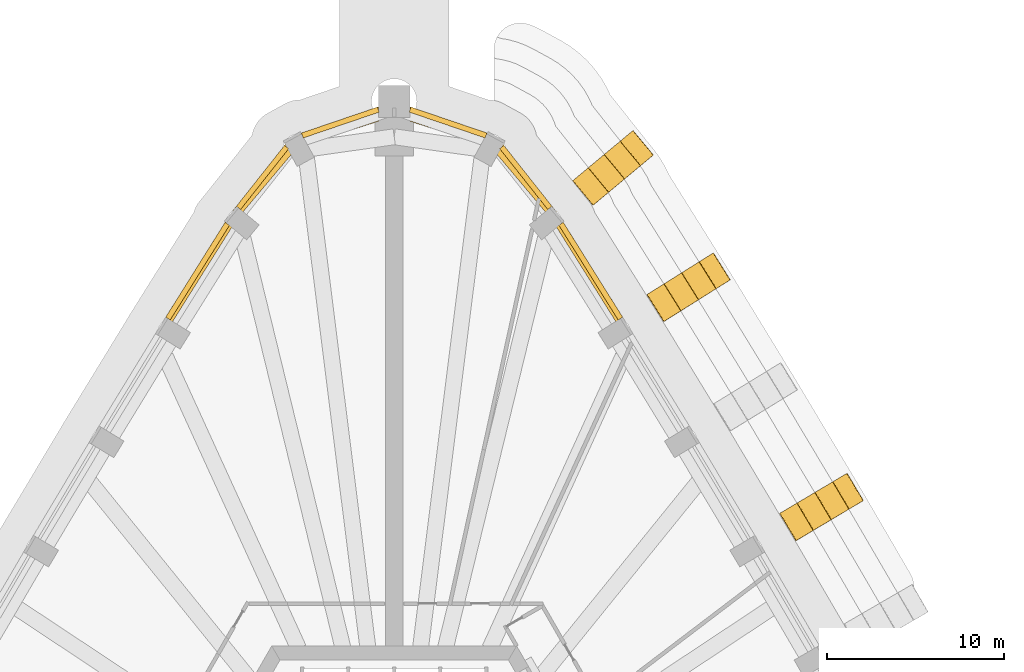
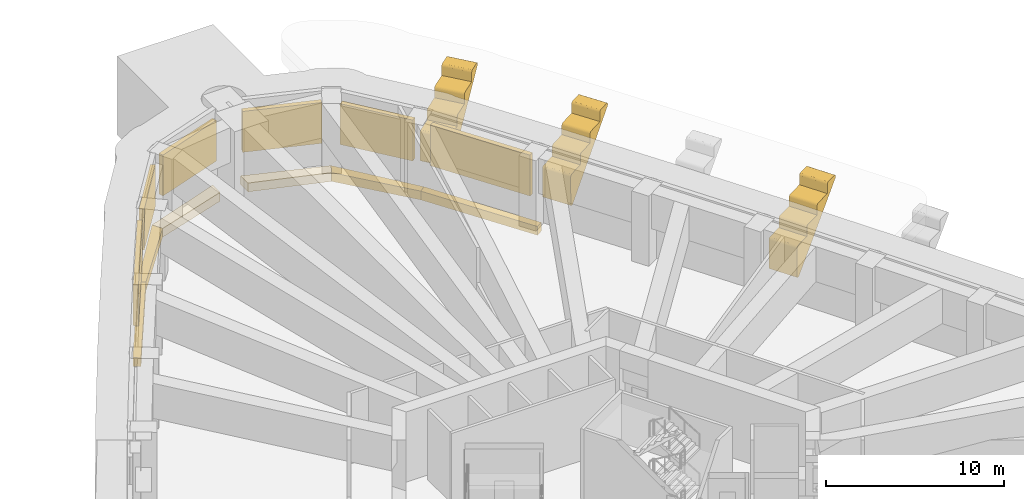
# One storey, part 22 of 22: 9 coverings, 6 shading devices.
"""IFC4 building model written with IfcOpenShell, lengths in metres."""

from ifc_helpers import new_model, si_unit, direction, frame, origin, origin_2d, place, context, subcontext, project, spatial, polyline, rectangle, outline, extrude, material, layer, layer_set, type_object, element, save


model = new_model("IFC4")

# Units and contexts
model_context = context("Model", 3, precision=1e-05, world=origin(), true_north=direction((0.0, 1.0)))
body_context = subcontext(model_context, "Body", "Model", "MODEL_VIEW")
ifc_project = project(units=[si_unit("LENGTHUNIT", "METRE"), si_unit("AREAUNIT", "SQUARE_METRE"), si_unit("VOLUMEUNIT", "CUBIC_METRE"), si_unit("PLANEANGLEUNIT", "RADIAN"), si_unit("MASSUNIT", "GRAM", prefix="KILO")], contexts=[model_context])

# Site, building, storey
site_placement = place(None, origin())
site = spatial("IfcSite", under=ifc_project, at=site_placement, CompositionType="ELEMENT")
building_placement = place(site_placement, origin())
building = spatial("IfcBuilding", under=site, at=building_placement, Name="Entoto Arch Interchange Tower", CompositionType="ELEMENT")
storey_placement = place(building_placement, frame((0.0, 0.0, 132.800048828125)))
storey = spatial("IfcBuildingStorey", under=building, at=storey_placement, Name="L29", CompositionType="ELEMENT", Elevation=132.800048828125)

# Shading devices
ifc_material_1 = material(Name="Aluminium, anodised", Category="aluminium")
ifc_layer = layer(ifc_material_1, 0.300048828125)
ifc_layer_set = layer_set([ifc_layer], Name="Aluminium, anodised")
shading_device_type = type_object("IfcShadingDeviceType", Name="PLANT LOUVRE ALUMINIUM", PredefinedType="JALOUSIE", material=ifc_layer_set)
shading_device_1_placement = place(storey_placement, frame((11.1220703125, 35.70703125, 1.19970703125), z_axis=(0.0, 0.0, 1.0), x_axis=(-0.530629537303, 0.847603854487, 0.0)))
element("IfcShadingDevice", 1, at=shading_device_1_placement, inside=storey, type_object=shading_device_type, Name="Plant louvre NE-08 L29", PredefinedType="JALOUSIE", context=body_context, shape_type="SweptSolid", body=[
    extrude(rectangle(XDim=6.327880859375, YDim=0.300048828125, at=origin_2d()), origin(), (0.0, 0.0, 1.0), 2.800048828125),
])
shading_device_2_placement = place(storey_placement, frame((7.449951171875, 41.010009765625, 1.19970703125), z_axis=(0.0, 0.0, 1.0), x_axis=(-0.62038151397, 0.784300183045, 0.0)))
element("IfcShadingDevice", 2, at=shading_device_2_placement, inside=storey, type_object=shading_device_type, Name="Plant louvre N-01 L29", PredefinedType="JALOUSIE", context=body_context, shape_type="SweptSolid", body=[
    extrude(rectangle(XDim=4.385986328125, YDim=0.300048828125, at=origin_2d()), origin(), (0.0, 0.0, 1.0), 2.800048828125),
])
for number, where, z_axis, x_axis, name in (
    (3, (3.047119140625, 44.117919921875, 1.19970703125), (0.0, 0.0, 1.0), (-0.946638010344, 0.322298739327, 0.0), "Plant louvre N-02 L29"),
    (4, (-3.047119140625, 44.117919921875, 1.19970703125), (0.0, 0.0, 1.0), (-0.946638010344, -0.322298739327, 0.0), "Plant louvre N-03 L29"),
):
    element("IfcShadingDevice", number, at=place(storey_placement, frame(where, z_axis=z_axis, x_axis=x_axis)), inside=storey, type_object=shading_device_type, Name=name, PredefinedType="JALOUSIE", context=body_context, shape_type="SweptSolid", body=[
        extrude(rectangle(XDim=4.5390625, YDim=0.300048828125, at=origin_2d()), origin(), (0.0, 0.0, 1.0), 2.800048828125),
    ])
shading_device_3_placement = place(storey_placement, frame((-7.449951171875, 41.010009765625, 1.19970703125), z_axis=(0.0, 0.0, 1.0), x_axis=(-0.62038151397, -0.784300183045, 0.0)))
element("IfcShadingDevice", 5, at=shading_device_3_placement, inside=storey, type_object=shading_device_type, Name="Plant louvre N-04 L29", PredefinedType="JALOUSIE", context=body_context, shape_type="SweptSolid", body=[
    extrude(rectangle(XDim=4.385986328125, YDim=0.300048828125, at=origin_2d()), origin(), (0.0, 0.0, 1.0), 2.800048828125),
])
shading_device_4_placement = place(storey_placement, frame((-11.1220703125, 35.70703125, 1.19970703125), z_axis=(0.0, 0.0, 1.0), x_axis=(-0.530629537303, -0.847603854487, 0.0)))
element("IfcShadingDevice", 6, at=shading_device_4_placement, inside=storey, type_object=shading_device_type, Name="Plant louvre NW-01 L29", PredefinedType="JALOUSIE", context=body_context, shape_type="SweptSolid", body=[
    extrude(rectangle(XDim=6.327880859375, YDim=0.300048828125, at=origin_2d()), origin(), (0.0, 0.0, 1.0), 2.800048828125),
])

# Coverings
ifc_material_2 = material(Name="Board-marked precast concrete C50/60", Category="concrete")
covering_type_1 = type_object("IfcCoveringType", Name="PRECAST FRAME COURSE", PredefinedType="CLADDING", material=ifc_material_2)
covering_1_placement = place(storey_placement, frame((22.947021484375, 20.573974609375, -0.3349609375), z_axis=(0.510043896518, -0.860143193073, 0.00298513572), x_axis=(-0.688712591774, -0.41046391475, -0.597657377283)))
element("IfcCovering", 7, at=covering_1_placement, inside=storey, type_object=covering_type_1, Name="Fold rib NE06 L29", PredefinedType="CLADDING", context=body_context, shape_type="SweptSolid", body=[
    extrude(outline(polyline([(0.0, 0.0), (0.04370979439670798, 3.469446951953614e-18), (0.07246586351592238, -0.007734049152401567), (0.11054443854812623, -0.02881142292278651), (0.14212364435810346, -0.05966167258047414), (0.1629005935985335, -0.09889906621859265), (0.17073555366444348, -0.14219538545820434), (0.16672824165551947, -0.1851867830285332), (0.149273150295389, -0.22576998099336446), (-0.9814458878577919, -1.7440629971669985), (-1.000555454334797, -1.7660537953354596), (-1.0248203819554038, -1.782985687604173), (-1.0515001429890076, -1.7953740067246438), (-1.079852993764303, -1.8028611109159693), (-1.1092596318036458, -1.8046938950489697), (-1.138266788185124, -1.800732647489089), (-1.1661994100683575, -1.7896550958810022), (-1.1911269945405574, -1.7750283819168364), (-1.988501726715067, -1.1806330295280096), (-2.3568568645795, -1.673107669676871), (-2.3906803588805197, -1.7002719696809712), (-2.4172921881082097, -1.7127121737180484), (-2.445712970689419, -1.720147392992768), (-2.475724247813252, -1.7215288430820688), (-2.518862694904531, -1.7131223791558192), (-2.5569190396597596, -1.6923665489102415), (-3.379070479960893, -1.079497761141258), (-3.7474256178253254, -1.571972401290119), (-3.7812491121263454, -1.5991367012942197), (-3.8077607304373484, -1.611650825154767), (-3.8365144248793914, -1.6188422500522124), (-3.8655202192519864, -1.6209707134790927), (-3.9097320809004175, -1.6117653512986574), (-3.9477884256556464, -1.5910095210530795), (-4.769367505983062, -0.9785700324209317), (-5.1377226438474946, -1.4710446725697928), (-5.159505697883582, -1.490738716484846), (-5.184700260225096, -1.5057554109539486), (-5.212359550807999, -1.5149800232882018), (-5.2412910874658465, -1.5195990999871904), (-5.285396761629351, -1.5156524380620502), (-5.3125243225947205, -1.5051740601446033), (-5.337684608011067, -1.4903774716266334), (-5.867916359422165, -1.0951172661198094), (-5.889383132168932, -1.0751575493753718), (-5.908145500254728, -1.0514269108044445), (-5.920226812943634, -1.0247599642158027), (-5.927142836689036, -0.9958499582643885), (-5.928464991353463, -0.9662424916324639), (-5.924043171191834, -0.9372599931301036), (-5.913842964483997, -0.9098450584248665), (-5.898225368902105, -0.8852500258274221), (-5.878532152642597, -0.8624762725200381), (-5.854244994745015, -0.8458659237761323), (-5.828260034878791, -0.8326528421705484), (-5.799650120272993, -0.8265777168185275), (-4.844965555876821, -0.6901765026372071), (-4.81089964737736, -0.6893820426553443), (-4.777751313189524, -0.6802909803720447), (0.0, 0.0)])), origin(), (0.0, 0.0, -1.0), 1.800048828125),
])
covering_2_placement = place(storey_placement, frame((15.465087890625, 32.98095703125, -0.31298828125), z_axis=(0.53008941508, -0.847936665162, 0.002936646627), x_axis=(-0.678897422566, -0.426484074288, -0.597670163227)))
element("IfcCovering", 8, at=covering_2_placement, inside=storey, type_object=covering_type_1, Name="Fold rib NE08 L29", PredefinedType="CLADDING", context=body_context, shape_type="SweptSolid", body=[
    extrude(outline(polyline([(0.0, 0.0), (0.04370481248492029, 0.0), (0.08526047528751043, -0.013621301529396508), (0.1216594770925829, -0.038316814606129575), (0.14075210209884406, -0.059858272799969164), (0.16152968921222358, -0.09910042407311848), (0.170349377187999, -0.1419131308031451), (0.1656167534421375, -0.18588880989732484), (0.14883845806128682, -0.22575879926643505), (-0.9690936515572176, -1.7258693585628633), (-0.9886165522893466, -1.7475548463307022), (-1.0117036962814183, -1.7653618370367874), (-1.038894097375619, -1.7773718282849613), (-1.0676526849869297, -1.7845575951058514), (-1.0970643039644616, -1.786384257352082), (-1.125963057244586, -1.7825003481828072), (-1.15333107610216, -1.7718432725114956), (-1.179067797653677, -1.7566164539896223), (-1.9761898475828445, -1.1623866436406172), (-2.3445841380520984, -1.6548319983336177), (-2.378417286139777, -1.6819879192291882), (-2.404921330350675, -1.6945062512012732), (-2.433016932197761, -1.7021881497390494), (-2.463195659027967, -1.703441818709456), (-2.506323830772125, -1.6950472800736034), (-2.5449526553067545, -1.6738627008281308), (-3.3664117637370863, -1.061489398650676), (-3.7348060542063397, -1.5539347533436765), (-3.7686392022940187, -1.5810906742392472), (-3.7951432465049173, -1.593609006211332), (-3.824067580557284, -1.6006707401030003), (-3.853583321623265, -1.6024205407902934), (-3.8969579907778504, -1.5938373166733057), (-3.934758083107199, -1.573272902073941), (-4.756799426332384, -0.9604681207315131), (-5.125193716801638, -1.4529134754245137), (-5.146976147613044, -1.4726073853044874), (-5.172571431866115, -1.4873272478944322), (-5.19950823609973, -1.4970918021075517), (-5.229007705496791, -1.501287934318058), (-5.273120479411428, -1.4973319403953256), (-5.300550122621608, -1.48662769335373), (-5.325808731466722, -1.4717554924378922), (-5.854575034233314, -1.0775774705624874), (-5.8760398383313825, -1.0576161206088255), (-5.893965138800092, -1.0345087704033484), (-5.906458296727959, -1.0075351192706332), (-5.91310708722323, -0.978826887289924), (-5.914599294643126, -0.9490901589081), (-5.910169238608898, -0.9201123525717794), (-5.900382159029656, -0.8923916072193623), (-5.884839989911267, -0.866520176154018), (-5.864654103414913, -0.8453308201030652), (-5.84144300646053, -0.827920460386594), (-5.8143765583286395, -0.8155138381488061), (-5.785452224276273, -0.8084521042571375), (-4.843640254811851, -0.6773931205933801), (-4.796192681199537, -0.677741830722769), (-4.7512517424521565, -0.6637432724190035), (0.0, 0.0)])), origin(), (0.0, 0.0, -1.0), 1.800048828125),
])
covering_3_placement = place(storey_placement, frame((11.446044921875, 39.593994140625, -0.28515625), z_axis=(0.638419290074, -0.769682612275, 0.003080003837), x_axis=(-0.633370139999, -0.527619144049, -0.566092134365)))
element("IfcCovering", 9, at=covering_3_placement, inside=storey, type_object=covering_type_1, Name="Fold rib NE09 L29", PredefinedType="CLADDING", context=body_context, shape_type="SweptSolid", body=[
    extrude(outline(polyline([(0.0, 0.0), (0.04398807698871741, 6.938893903907228e-18), (0.08583985345098115, -0.010673514375950967), (0.12326218281884346, -0.03370779369412494), (0.15221641813204856, -0.06691942912094997), (0.17011167448263279, -0.10734457432955127), (0.1759709362584828, -0.15016334331869616), (0.169204133695598, -0.19408893127082413), (0.15704448995963746, -0.2206860868963808), (-0.8854361636038112, -1.7393636940607884), (-0.9036349921403525, -1.7621077141804498), (-0.9264601770556915, -1.7804954728648716), (-0.9527057121456481, -1.7938644141413176), (-0.9811063678958318, -1.8022016771689706), (-1.0106715212286532, -1.8049962315704413), (-1.0402295449631649, -1.8018774626109337), (-1.067353807134845, -1.7927289613316313), (-1.0938879024186576, -1.7783569048525731), (-1.91339133071186, -1.215585191504824), (-2.26256297124381, -1.721841861317973), (-2.2946575855826894, -1.7507401516552965), (-2.320413408412893, -1.7644484220359766), (-2.349149145040994, -1.7725531275272066), (-2.3786110259168325, -1.7754237395318788), (-2.4222970527960923, -1.768522571156856), (-2.4613121540364764, -1.7491354414820537), (-3.306171524003444, -1.1689482838941483), (-3.6553431645353944, -1.6752049537072977), (-3.687953031944634, -1.7037522153765776), (-3.7137088547748376, -1.7174604857572577), (-3.7424445914029385, -1.7255651912484877), (-3.7719064722787774, -1.7284358032531602), (-3.815592499158037, -1.721534634878137), (-3.8547364136660116, -1.7020597480363242), (-4.699312338983554, -1.122067119183241), (-5.047994267255751, -1.628663118100624), (-5.069610856879747, -1.648764767873851), (-5.093790152952001, -1.665035537936897), (-5.121326409805022, -1.6751504604816922), (-5.150090276330893, -1.6808670193475708), (-5.194244689304874, -1.678680126682977), (-5.222116290271487, -1.669016781965419), (-5.247877228646121, -1.6551785833254167), (-5.790605428973911, -1.2824717097228664), (-5.812773009073764, -1.2634009081031579), (-5.83110839000346, -1.2398510400933023), (-5.845351356140655, -1.2143740670888636), (-5.853485173092384, -1.1856852464450855), (-5.855619639744729, -1.1563812935850692), (-5.8526942975540655, -1.1269966380138223), (-5.842689823040266, -1.0986229841481308), (-5.828510855824177, -1.07311753293936), (-5.809796774217276, -1.0507245414877424), (-5.7863366384802495, -1.0330718946031343), (-5.760571422830145, -1.019074613094686), (-5.731706872934453, -1.0110576647704663), (-4.807417497224686, -0.8476217332084994), (-4.77788991517147, -0.8459832233181039), (-4.747696940615272, -0.8498371040774253), (-4.720116308749907, -0.8359006788322441), (-4.692397290617279, -0.8282806744806119), (0.0, 0.0)])), origin(), (0.0, 0.0, -1.0), 1.800048828125),
])
covering_type_2 = type_object("IfcCoveringType", Name="PRECAST LEDGE COURSE", PredefinedType="CLADDING", material=ifc_material_2)
covering_4_placement = place(storey_placement, frame((0.0, 0.0, -1.199951171875)))
element("IfcCovering", 10, at=covering_4_placement, inside=storey, type_object=covering_type_2, Name="Precast course NE-08 L29", PredefinedType="CLADDING", context=body_context, shape_type="SweptSolid", body=[
    extrude(outline(polyline([(8.90087890625, 38.652099609375), (9.26611328125, 38.955078125), (13.219970703125, 32.638916015625), (12.8291015625, 32.39404296875), (8.90087890625, 38.652099609375)])), origin(), (0.0, 0.0, 1.0), 0.599853515625),
])
covering_5_placement = place(storey_placement, frame((0.0, 0.0, -1.199951171875)))
element("IfcCovering", 11, at=covering_5_placement, inside=storey, type_object=covering_type_2, Name="Precast course N-01 L29", PredefinedType="CLADDING", context=body_context, shape_type="SweptSolid", body=[
    extrude(outline(polyline([(5.465087890625, 42.73388671875), (5.797119140625, 43.341064453125), (9.26611328125, 38.955078125), (8.90087890625, 38.652099609375), (5.465087890625, 42.73388671875)])), origin(), (0.0, 0.0, 1.0), 0.599853515625),
])
covering_6_placement = place(storey_placement, frame((0.0, 0.0, -1.199951171875)))
element("IfcCovering", 12, at=covering_6_placement, inside=storey, type_object=covering_type_2, Name="Precast course N-02 L29", PredefinedType="CLADDING", context=body_context, shape_type="SweptSolid", body=[
    extrude(outline(polyline([(0.89990234375, 44.18505859375), (0.89990234375, 45.008056640625), (5.797119140625, 43.341064453125), (5.465087890625, 42.73388671875), (0.89990234375, 44.18505859375)])), origin(), (0.0, 0.0, 1.0), 0.599853515625),
])
covering_7_placement = place(storey_placement, frame((0.0, 0.0, -1.199951171875)))
element("IfcCovering", 13, at=covering_7_placement, inside=storey, type_object=covering_type_2, Name="Precast course N-03 L29", PredefinedType="CLADDING", context=body_context, shape_type="SweptSolid", body=[
    extrude(outline(polyline([(-5.465087890625, 42.73388671875), (-5.797119140625, 43.341064453125), (-0.89990234375, 45.008056640625), (-0.89990234375, 44.18505859375), (-5.465087890625, 42.73388671875)])), origin(), (0.0, 0.0, 1.0), 0.599853515625),
])
covering_8_placement = place(storey_placement, frame((0.0, 0.0, -1.199951171875)))
element("IfcCovering", 14, at=covering_8_placement, inside=storey, type_object=covering_type_2, Name="Precast course N-04 L29", PredefinedType="CLADDING", context=body_context, shape_type="SweptSolid", body=[
    extrude(outline(polyline([(-8.90087890625, 38.652099609375), (-9.26611328125, 38.955078125), (-5.797119140625, 43.341064453125), (-5.465087890625, 42.73388671875), (-8.90087890625, 38.652099609375)])), origin(), (0.0, 0.0, 1.0), 0.599853515625),
])
covering_9_placement = place(storey_placement, frame((0.0, 0.0, -1.199951171875)))
element("IfcCovering", 15, at=covering_9_placement, inside=storey, type_object=covering_type_2, Name="Precast course NW-01 L29", PredefinedType="CLADDING", context=body_context, shape_type="SweptSolid", body=[
    extrude(outline(polyline([(-12.8291015625, 32.39404296875), (-13.219970703125, 32.638916015625), (-9.26611328125, 38.955078125), (-8.90087890625, 38.652099609375), (-12.8291015625, 32.39404296875)])), origin(), (0.0, 0.0, 1.0), 0.599853515625),
])

save(model, "model.ifc")
